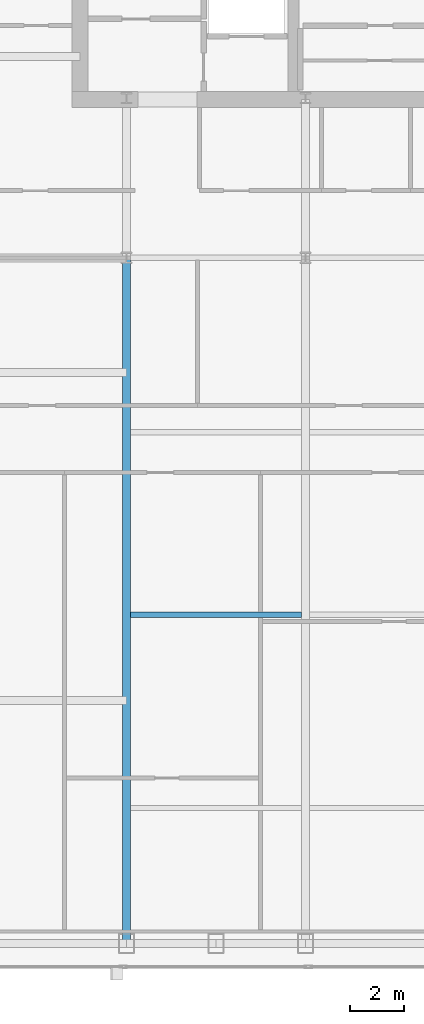
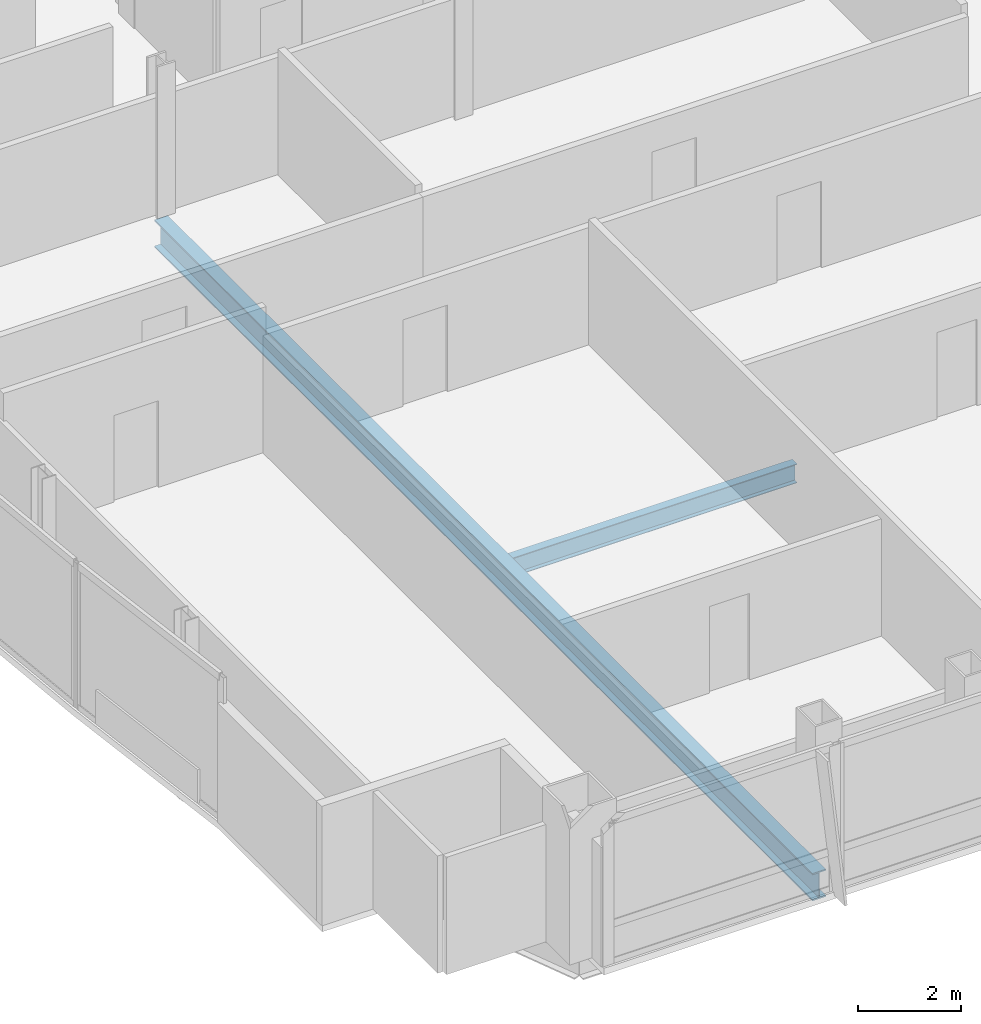
# One storey, part 7 of 29: 2 beams.
"""IFC4 building model written with IfcOpenShell, lengths in metres."""

from ifc_helpers import new_model, si_unit, direction, frame, origin, origin_2d, place, context, subcontext, project, spatial, i_section, extrude, material, material_profile, profile_set, type_object, element, save


model = new_model("IFC4")

# Units and contexts
model_context = context("Model", 3, precision=1e-05, world=origin(), true_north=direction((0.0, 1.0)))
body_context = subcontext(model_context, "Body", "Model", "MODEL_VIEW")
ifc_project = project(units=[si_unit("LENGTHUNIT", "METRE"), si_unit("AREAUNIT", "SQUARE_METRE"), si_unit("VOLUMEUNIT", "CUBIC_METRE"), si_unit("PLANEANGLEUNIT", "RADIAN"), si_unit("MASSUNIT", "GRAM", prefix="KILO")], contexts=[model_context])

# Site, building, storey
site_placement = place(None, origin())
site = spatial("IfcSite", under=ifc_project, at=site_placement, CompositionType="ELEMENT")
building_placement = place(site_placement, origin())
building = spatial("IfcBuilding", under=site, at=building_placement, Name="Khoronbel Lancet Exchange", CompositionType="ELEMENT")
storey_placement = place(building_placement, frame((0.0, 0.0, 242.60009765625)))
storey = spatial("IfcBuildingStorey", under=building, at=storey_placement, Name="L62", CompositionType="ELEMENT", Elevation=242.60009765625)

# Beams
ifc_material = material(Name="Steel S355", Category="steel")
ifc_material_profile_1 = material_profile(ifc_material, i_section(OverallWidth=0.300048828125, OverallDepth=0.64990234375, WebThickness=0.01611328125, FlangeThickness=0.031005859375, at=origin_2d()), Name="HEB 650")
ifc_profile_set_1 = profile_set([ifc_material_profile_1], Name="Steel S355")
beam_type_1 = type_object("IfcBeamType", Name="BM-BG4", PredefinedType="BEAM", material=ifc_profile_set_1)
beam_1_placement = place(storey_placement, frame((18.22509765625, 10.14990234375, -0.485107421875), z_axis=(0.0, 1.0, 0.0), x_axis=(-1.0, 0.0, 0.0)))
element("IfcBeam", 1, at=beam_1_placement, inside=storey, type_object=beam_type_1, Name="Level L62 south primary girder GS1", PredefinedType="BEAM", context=body_context, shape_type="SweptSolid", body=[
    extrude(i_section(OverallWidth=0.300048828125, OverallDepth=0.64990234375, WebThickness=0.01611328125, FlangeThickness=0.031005859375, at=origin_2d()), origin(), (0.0, 0.0, 1.0), 25.550048828125),
])
ifc_material_profile_2 = material_profile(ifc_material, i_section(OverallWidth=0.18994140625, OverallDepth=0.449951171875, WebThickness=0.009521484375, FlangeThickness=0.0146484375, at=origin_2d()), Name="IPE 450")
ifc_profile_set_2 = profile_set([ifc_material_profile_2], Name="Steel S355")
beam_type_2 = type_object("IfcBeamType", Name="BM-BJ4", PredefinedType="JOIST", material=ifc_profile_set_2)
beam_2_placement = place(storey_placement, frame((18.375, 22.39990234375, -0.385009765625), z_axis=(1.0, 0.0, 0.0), x_axis=(0.0, 1.0, 0.0)))
element("IfcBeam", 2, at=beam_2_placement, inside=storey, type_object=beam_type_2, Name="Level L62 secondary composite joist J06", PredefinedType="JOIST", context=body_context, shape_type="SweptSolid", body=[
    extrude(i_section(OverallWidth=0.18994140625, OverallDepth=0.449951171875, WebThickness=0.009521484375, FlangeThickness=0.0146484375, at=origin_2d()), origin(), (0.0, 0.0, 1.0), 6.375),
])

save(model, "model.ifc")
